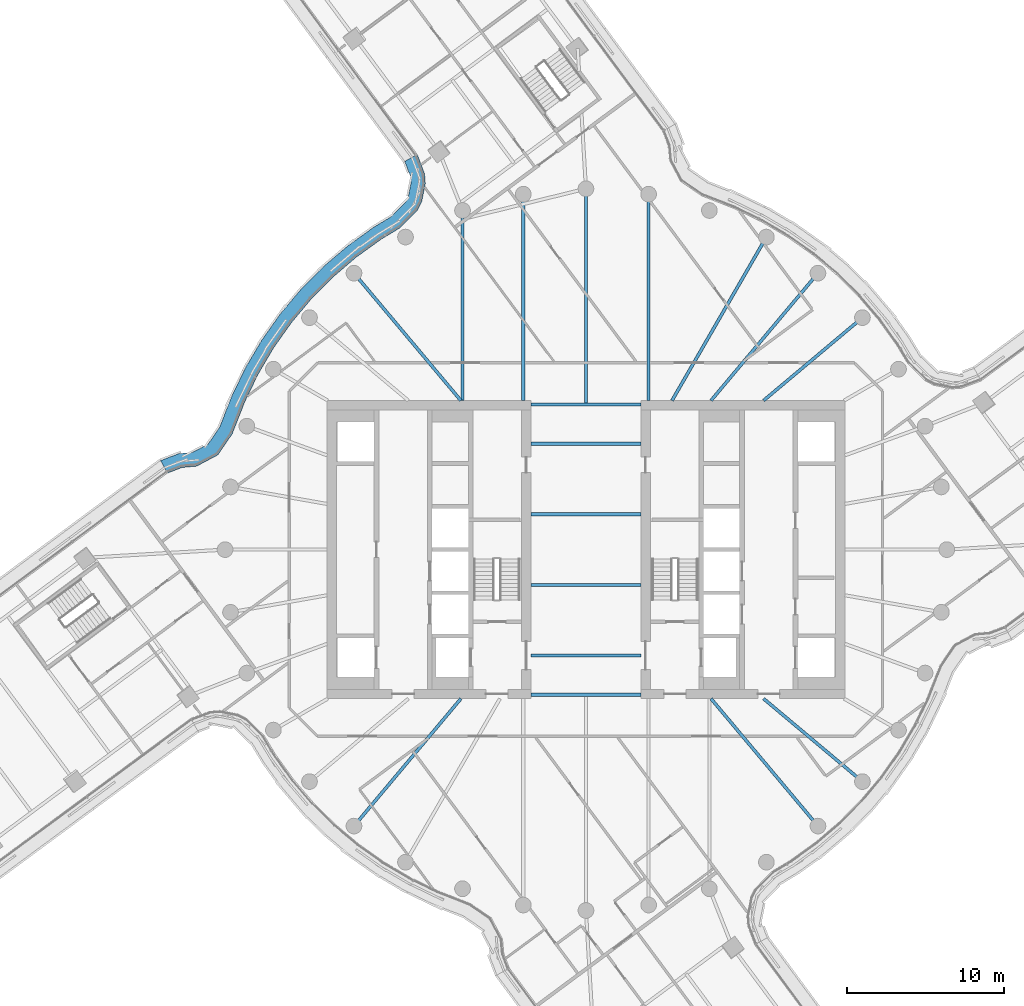
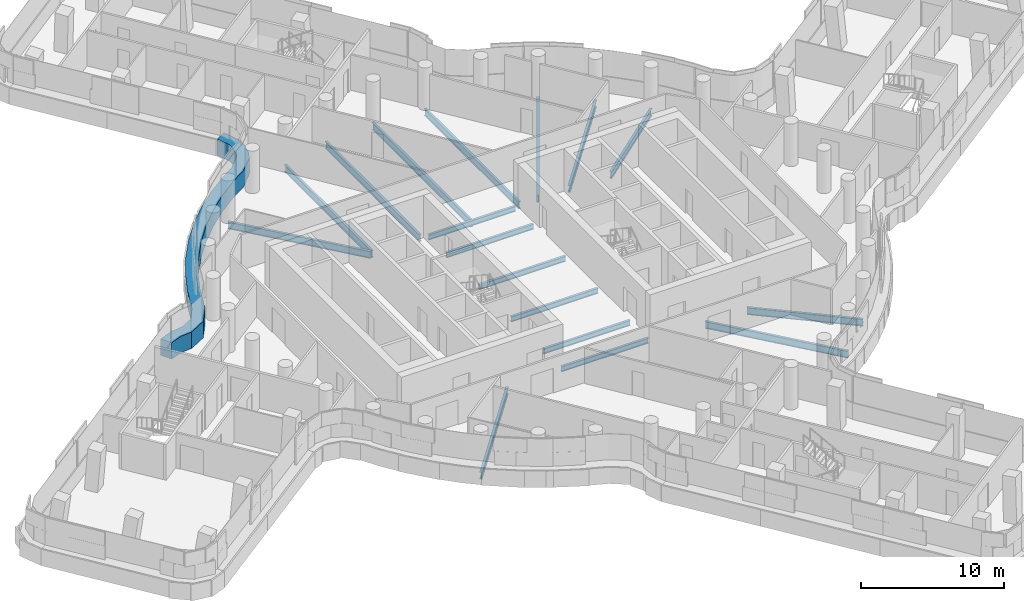
# One storey, part 10 of 32: 17 beams, 1 member, 1 element without a shape of its own.
"""IFC4 building model written with IfcOpenShell, lengths in metres."""

from ifc_helpers import new_model, si_unit, direction, frame, origin, origin_2d, place, context, subcontext, project, spatial, polyline, i_section, outline, extrude, material, layer, layer_set, material_profile, profile_set, type_object, element, aggregate, save


model = new_model("IFC4")

# Units and contexts
model_context = context("Model", 3, precision=1e-05, world=origin(), true_north=direction((0.0, 1.0)))
body_context = subcontext(model_context, "Body", "Model", "MODEL_VIEW")
ifc_project = project(units=[si_unit("LENGTHUNIT", "METRE"), si_unit("AREAUNIT", "SQUARE_METRE"), si_unit("VOLUMEUNIT", "CUBIC_METRE"), si_unit("PLANEANGLEUNIT", "RADIAN"), si_unit("MASSUNIT", "GRAM", prefix="KILO")], contexts=[model_context])

# Site, building, storey
site_placement = place(None, origin())
site = spatial("IfcSite", under=ifc_project, at=site_placement, CompositionType="ELEMENT")
building_placement = place(site_placement, origin())
building = spatial("IfcBuilding", under=site, at=building_placement, Name="Tamarind Cross Interchange Tower", CompositionType="ELEMENT")
storey_placement = place(building_placement, frame((0.0, 0.0, 166.75)))
storey = spatial("IfcBuildingStorey", under=building, at=storey_placement, Name="L41", CompositionType="ELEMENT", Elevation=166.75)

# Beams
ifc_material_1 = material(Name="Steel Q355B", Category="steel")
ifc_material_profile_1 = material_profile(ifc_material_1, i_section(OverallWidth=0.198974609375, OverallDepth=0.446044921875, WebThickness=0.008056640625, FlangeThickness=0.011962890625, FilletRadius=0.012939453125, at=origin_2d()), Name="HN 446x199x8x12")
ifc_profile_set_1 = profile_set([ifc_material_profile_1], Name="Steel Q355B")
beam_type_1 = type_object("IfcBeamType", Name="Composite beam HN 446x199x8x12 Q355B", PredefinedType="BEAM", material=ifc_profile_set_1)
for number, where, z_axis, x_axis, name in (
    (1, (-3.5, -2.25, -0.363037109375), (1.0, 0.0, 0.0), (0.0, 1.0, 0.0), "Beam G-2.25"),
    (2, (-3.5, -6.75, -0.363037109375), (1.0, 0.0, 0.0), (0.0, 1.0, 0.0), "Beam G-6.75"),
    (3, (-3.5, -9.25, -0.363037109375), (1.0, 0.0, 0.0), (0.0, 1.0, 0.0), "Beam G-9.25"),
    (4, (-3.5, 2.25, -0.363037109375), (1.0, 0.0, 0.0), (0.0, 1.0, 0.0), "Beam G2.25"),
    (5, (-3.5, 6.75, -0.363037109375), (1.0, 0.0, 0.0), (0.0, 1.0, 0.0), "Beam G6.75"),
    (6, (-3.5, 9.25, -0.363037109375), (1.0, 0.0, 0.0), (0.0, 1.0, 0.0), "Beam G9.25"),
):
    element("IfcBeam", number, at=place(storey_placement, frame(where, z_axis=z_axis, x_axis=x_axis)), inside=storey, type_object=beam_type_1, Name=name, PredefinedType="BEAM", context=body_context, shape_type="SweptSolid", body=[
        extrude(i_section(OverallWidth=0.198974609375, OverallDepth=0.446044921875, WebThickness=0.008056640625, FlangeThickness=0.011962890625, FilletRadius=0.012939453125, at=origin_2d()), origin(), (0.0, 0.0, 1.0), 7.0),
    ])
ifc_material_profile_2 = material_profile(ifc_material_1, i_section(OverallWidth=0.198974609375, OverallDepth=0.595947265625, WebThickness=0.010009765625, FlangeThickness=0.014892578125, FilletRadius=0.012939453125, at=origin_2d()), Name="HN 596x199x10x15")
ifc_profile_set_2 = profile_set([ifc_material_profile_2], Name="Steel Q355B")
beam_type_2 = type_object("IfcBeamType", Name="Composite beam HN 596x199x10x15 Q355B", PredefinedType="BEAM", material=ifc_profile_set_2)
beam_1_placement = place(storey_placement, frame((17.619140625, 14.7841796875, -0.43798828125), z_axis=(-0.766040580814, -0.642792212574, 0.0), x_axis=(0.642792212574, -0.766040580814, 0.0)))
element("IfcBeam", 7, at=beam_1_placement, inside=storey, type_object=beam_type_2, Name="Beam HH04", PredefinedType="BEAM", context=body_context, shape_type="SweptSolid", body=[
    extrude(i_section(OverallWidth=0.198974609375, OverallDepth=0.595947265625, WebThickness=0.010009765625, FlangeThickness=0.014892578125, FilletRadius=0.012939453125, at=origin_2d()), origin(), (0.0, 0.0, 1.0), 8.220703125),
])
beam_2_placement = place(storey_placement, frame((14.7841796875, 17.619140625, -0.43798828125), z_axis=(-0.642786293979, -0.766045547127, 0.0), x_axis=(0.766045547127, -0.642786293979, 0.0)))
element("IfcBeam", 8, at=beam_2_placement, inside=storey, type_object=beam_type_2, Name="Beam HH05", PredefinedType="BEAM", context=body_context, shape_type="SweptSolid", body=[
    extrude(i_section(OverallWidth=0.198974609375, OverallDepth=0.595947265625, WebThickness=0.010009765625, FlangeThickness=0.014892578125, FilletRadius=0.012939453125, at=origin_2d()), origin(), (0.0, 0.0, 1.0), 10.598876953125),
])
beam_3_placement = place(storey_placement, frame((11.5, 19.918701171875, -0.43798828125), z_axis=(-0.499993565836, -0.866029118519, 0.0), x_axis=(0.866029118519, -0.499993565836, 0.0)))
element("IfcBeam", 9, at=beam_3_placement, inside=storey, type_object=beam_type_2, Name="Beam HH06", PredefinedType="BEAM", context=body_context, shape_type="SweptSolid", body=[
    extrude(i_section(OverallWidth=0.198974609375, OverallDepth=0.595947265625, WebThickness=0.010009765625, FlangeThickness=0.014892578125, FilletRadius=0.012939453125, at=origin_2d()), origin(), (0.0, 0.0, 1.0), 12.030517578125),
])
beam_4_placement = place(storey_placement, frame((3.993896484375, 22.650634765625, -0.43798828125), z_axis=(0.0, -1.0, 0.0), x_axis=(1.0, 0.0, 0.0)))
element("IfcBeam", 10, at=beam_4_placement, inside=storey, type_object=beam_type_2, Name="Beam HH08", PredefinedType="BEAM", context=body_context, shape_type="SweptSolid", body=[
    extrude(i_section(OverallWidth=0.198974609375, OverallDepth=0.595947265625, WebThickness=0.010009765625, FlangeThickness=0.014892578125, FilletRadius=0.012939453125, at=origin_2d()), origin(), (0.0, 0.0, 1.0), 13.150634765625),
])
beam_5_placement = place(storey_placement, frame((0.0, 23.0, -0.43798828125), z_axis=(0.0, -1.0, 0.0), x_axis=(1.0, 0.0, 0.0)))
element("IfcBeam", 11, at=beam_5_placement, inside=storey, type_object=beam_type_2, Name="Beam HH09", PredefinedType="BEAM", context=body_context, shape_type="SweptSolid", body=[
    extrude(i_section(OverallWidth=0.198974609375, OverallDepth=0.595947265625, WebThickness=0.010009765625, FlangeThickness=0.014892578125, FilletRadius=0.012939453125, at=origin_2d()), origin(), (0.0, 0.0, 1.0), 13.75),
])
beam_6_placement = place(storey_placement, frame((-3.993896484375, 22.650634765625, -0.43798828125), z_axis=(0.0, -1.0, 0.0), x_axis=(1.0, 0.0, 0.0)))
element("IfcBeam", 12, at=beam_6_placement, inside=storey, type_object=beam_type_2, Name="Beam HH10", PredefinedType="BEAM", context=body_context, shape_type="SweptSolid", body=[
    extrude(i_section(OverallWidth=0.198974609375, OverallDepth=0.595947265625, WebThickness=0.010009765625, FlangeThickness=0.014892578125, FilletRadius=0.012939453125, at=origin_2d()), origin(), (0.0, 0.0, 1.0), 13.150634765625),
])
beam_7_placement = place(storey_placement, frame((-7.866455078125, 21.613037109375, -0.43798828125), z_axis=(0.0, -1.0, 0.0), x_axis=(1.0, 0.0, 0.0)))
element("IfcBeam", 13, at=beam_7_placement, inside=storey, type_object=beam_type_2, Name="Beam HH11", PredefinedType="BEAM", context=body_context, shape_type="SweptSolid", body=[
    extrude(i_section(OverallWidth=0.198974609375, OverallDepth=0.595947265625, WebThickness=0.010009765625, FlangeThickness=0.014892578125, FilletRadius=0.012939453125, at=origin_2d()), origin(), (0.0, 0.0, 1.0), 12.113037109375),
])
for number, where, z_axis, x_axis, name in (
    (14, (-14.7841796875, 17.619140625, -0.43798828125), (0.642786293979, -0.766045547127, 0.0), (0.766045547127, 0.642786293979, 0.0), "Beam HH13"),
    (15, (-14.7841796875, -17.619140625, -0.43798828125), (0.642786293979, 0.766045547127, 0.0), (-0.766045547127, 0.642786293979, 0.0), "Beam HH23"),
    (16, (14.7841796875, -17.619140625, -0.43798828125), (-0.642786293979, 0.766045547127, 0.0), (-0.766045547127, -0.642786293979, 0.0), "Beam HH31"),
):
    element("IfcBeam", number, at=place(storey_placement, frame(where, z_axis=z_axis, x_axis=x_axis)), inside=storey, type_object=beam_type_2, Name=name, PredefinedType="BEAM", context=body_context, shape_type="SweptSolid", body=[
        extrude(i_section(OverallWidth=0.198974609375, OverallDepth=0.595947265625, WebThickness=0.010009765625, FlangeThickness=0.014892578125, FilletRadius=0.012939453125, at=origin_2d()), origin(), (0.0, 0.0, 1.0), 10.598876953125),
    ])
beam_8_placement = place(storey_placement, frame((17.619140625, -14.7841796875, -0.43798828125), z_axis=(-0.766040580814, 0.642792212574, 0.0), x_axis=(-0.642792212574, -0.766040580814, 0.0)))
element("IfcBeam", 17, at=beam_8_placement, inside=storey, type_object=beam_type_2, Name="Beam HH32", PredefinedType="BEAM", context=body_context, shape_type="SweptSolid", body=[
    extrude(i_section(OverallWidth=0.198974609375, OverallDepth=0.595947265625, WebThickness=0.010009765625, FlangeThickness=0.014892578125, FilletRadius=0.012939453125, at=origin_2d()), origin(), (0.0, 0.0, 1.0), 8.220703125),
])

# Curtain wall, member
ifc_material_2 = material(Name="Aluminium 6063-T6", Category="aluminium")
ifc_layer = layer(ifc_material_2, 0.159912109375)
ifc_layer_set = layer_set([ifc_layer], Name="Aluminium 6063-T6")
curtain_wall_type = type_object("IfcCurtainWallType", Name="Office curtain wall, 9.0 m bays", PredefinedType="NOTDEFINED", material=ifc_layer_set)
curtain_wall_placement = place(storey_placement, origin())
curtain_wall = element("IfcCurtainWall", 18, at=curtain_wall_placement, inside=storey, type_object=curtain_wall_type, Name="CWS-L41-06", PredefinedType="NOTDEFINED")
ifc_material_3 = material(Name="Aluminium and insulated spandrel panel", Category="aluminium")
member_type = type_object("IfcMemberType", Name="Floor-edge blade transom", PredefinedType="USERDEFINED", material=ifc_material_3)
member_placement = place(storey_placement, origin())
member = element("IfcMember", 19, at=member_placement, type_object=member_type, Name="CWT-L41-06", ObjectType="TRANSOM", PredefinedType="USERDEFINED", context=body_context, shape_type="SweptSolid", body=[
    extrude(outline(polyline([(-10.748291015625, 25.17919921875), (-10.285888671875, 23.94921875), (-10.235595703125, 23.328125), (-10.4658203125, 22.177490234375), (-10.75341796875, 21.619873046875), (-11.8701171875, 20.49169921875), (-13.04541015625, 19.781494140625), (-14.634521484375, 18.636474609375), (-16.12353515625, 17.3642578125), (-17.50244140625, 15.973388671875), (-18.76171875, 14.4736328125), (-19.892822265625, 12.874755859375), (-20.88818359375, 11.188232421875), (-21.740966796875, 9.42431640625), (-22.545654296875, 7.370849609375), (-23.460693359375, 6.033447265625), (-24.809326171875, 5.31689453125), (-25.73974609375, 5.232177734375), (-26.67236328125, 4.876220703125), (-27.109130859375, 5.6728515625), (-25.94482421875, 6.1171875), (-25.071533203125, 6.19677734375), (-24.078369140625, 6.724365234375), (-23.34619140625, 7.79443359375), (-22.56640625, 9.784912109375), (-21.68212890625, 11.613525390625), (-20.64892578125, 13.3642578125), (-19.474853515625, 15.023681640625), (-18.167724609375, 16.580810546875), (-16.736572265625, 18.0244140625), (-15.19091796875, 19.344970703125), (-13.5419921875, 20.532958984375), (-12.431396484375, 21.204345703125), (-11.489990234375, 22.155029296875), (-11.323486328125, 22.477783203125), (-11.142822265625, 23.380859375), (-11.1728515625, 23.750732421875), (-11.546875, 24.745361328125), (-10.748291015625, 25.17919921875)])), origin(), (0.0, 0.0, 1.0), 1.39990234375),
])
aggregate(curtain_wall, [member])

save(model, "model.ifc")
